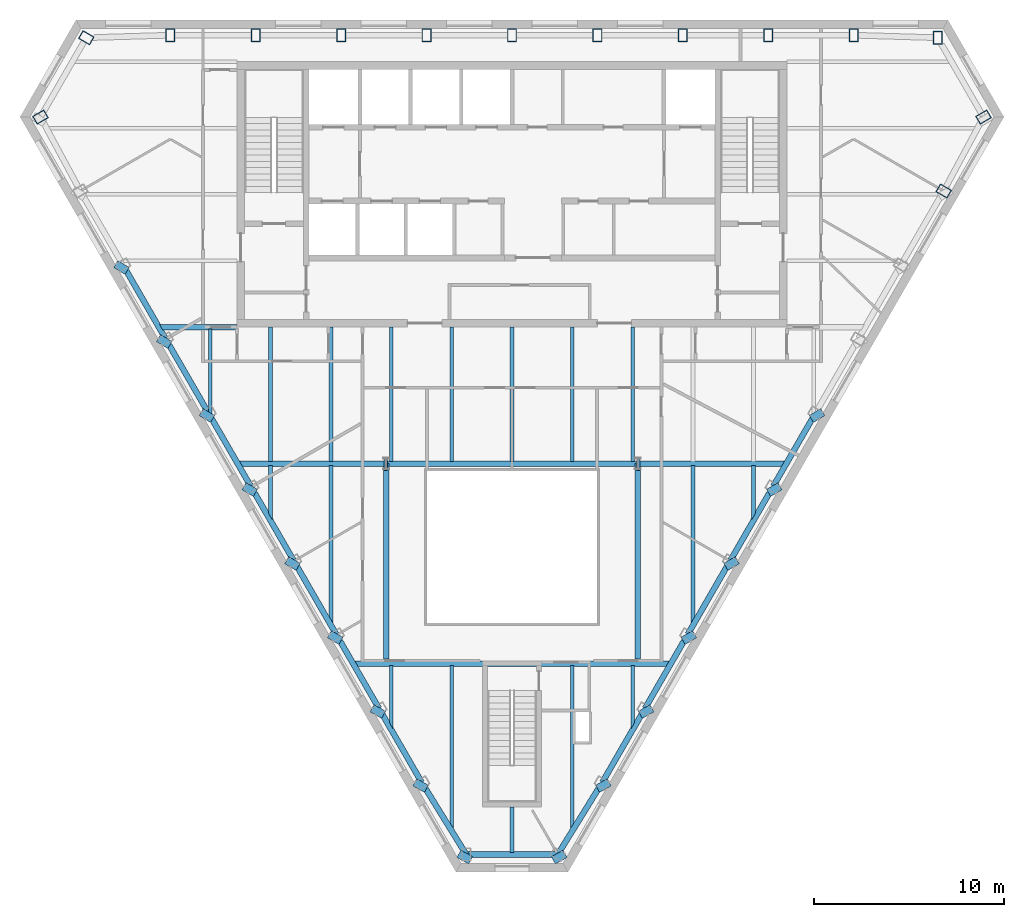
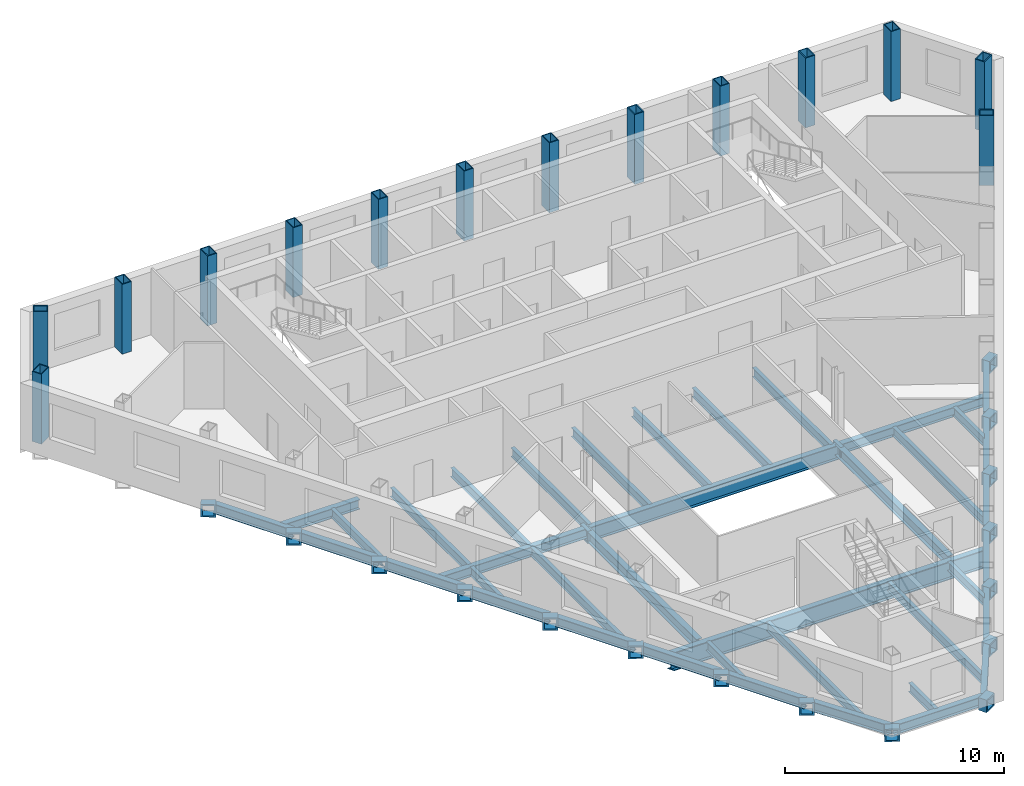
# One storey, part 2 of 10: 57 beams, 14 columns.
"""IFC4 building model written with IfcOpenShell, lengths in metres."""

from ifc_helpers import new_model, si_unit, direction, frame, origin, origin_2d, place, context, subcontext, project, spatial, hollow_rectangle, i_section, extrude, clip, halfspace, material, material_profile, profile_set, type_object, element, save


model = new_model("IFC4")

# Units and contexts
model_context = context("Model", 3, precision=1e-05, world=origin(), true_north=direction((0.0, 1.0)))
body_context = subcontext(model_context, "Body", "Model", "MODEL_VIEW")
ifc_project = project(units=[si_unit("LENGTHUNIT", "METRE"), si_unit("AREAUNIT", "SQUARE_METRE"), si_unit("VOLUMEUNIT", "CUBIC_METRE"), si_unit("PLANEANGLEUNIT", "RADIAN"), si_unit("MASSUNIT", "GRAM", prefix="KILO")], contexts=[model_context])

# Site, building, storey
site_placement = place(None, origin())
site = spatial("IfcSite", under=ifc_project, at=site_placement, CompositionType="ELEMENT")
building_placement = place(site_placement, origin())
building = spatial("IfcBuilding", under=site, at=building_placement, Name="Njiva Tower", CompositionType="ELEMENT")
storey_placement = place(building_placement, frame((0.0, 0.0, 257.1)))
storey = spatial("IfcBuildingStorey", under=building, at=storey_placement, Name="L58", CompositionType="ELEMENT", Elevation=257.1)

# Columns
ifc_material = material(Name="Steel S355 J2", Category="steel")
ifc_material_profile_1 = material_profile(ifc_material, hollow_rectangle(XDim=0.5, YDim=0.7, WallThickness=0.045, at=origin_2d()), Name="BOX 700x500x45")
ifc_profile_set_1 = profile_set([ifc_material_profile_1], Name="Steel S355 J2")
column_type = type_object("IfcColumnType", Name="C13 Perimeter tube column BOX 700x500x45", PredefinedType="COLUMN", material=ifc_profile_set_1)
for number, where, z_axis, x_axis, name in (
    (1, (22.456, 19.267, 0.0), (0.0, 0.0, 1.0), (-1.0, 0.0, 0.0), "Perimeter tube column S19-C01"),
    (2, (18.026, 19.4, 0.0), (0.0, 0.0, 1.0), (-1.0, 0.0, 0.0), "Perimeter tube column S19-C02"),
    (3, (13.52, 19.4, 0.0), (0.0, 0.0, 1.0), (-1.0, 0.0, 0.0), "Perimeter tube column S19-C03"),
    (4, (9.013, 19.4, 0.0), (0.0, 0.0, 1.0), (-1.0, 0.0, 0.0), "Perimeter tube column S19-C04"),
    (5, (4.507, 19.4, 0.0), (0.0, 0.0, 1.0), (-1.0, 0.0, 0.0), "Perimeter tube column S19-C05"),
    (6, (0.0, 19.4, 0.0), (0.0, 0.0, 1.0), (-1.0, 0.0, 0.0), "Perimeter tube column S19-C06"),
    (7, (-4.507, 19.4, 0.0), (0.0, 0.0, 1.0), (-1.0, 0.0, 0.0), "Perimeter tube column S19-C07"),
    (8, (-9.013, 19.4, 0.0), (0.0, 0.0, 1.0), (-1.0, 0.0, 0.0), "Perimeter tube column S19-C08"),
    (9, (-13.52, 19.4, 0.0), (0.0, 0.0, 1.0), (-1.0, 0.0, 0.0), "Perimeter tube column S19-C09"),
    (10, (-18.026, 19.4, 0.0), (0.0, 0.0, 1.0), (-1.0, 0.0, 0.0), "Perimeter tube column S19-C10"),
    (11, (-22.456, 19.267, 0.0), (0.0, 0.0, 1.0), (-0.5, -0.866025403784, 0.0), "Perimeter tube column S19-C11"),
    (12, (-24.873, 15.082, 0.0), (0.0, 0.0, 1.0), (0.5, -0.866025403784, 0.0), "Perimeter tube column S19-C12"),
    (13, (22.773, 11.179, 0.0), (0.0, 0.0, 1.0), (0.5, 0.866025403784, 0.0), "Perimeter tube column S19-C32"),
    (14, (24.873, 15.082, 0.0), (0.0, 0.0, 1.0), (-0.5, 0.866025403784, 0.0), "Perimeter tube column S19-C33"),
):
    element("IfcColumn", number, at=place(storey_placement, frame(where, z_axis=z_axis, x_axis=x_axis)), inside=storey, type_object=column_type, Name=name, PredefinedType="COLUMN", context=body_context, shape_type="SweptSolid", body=[
        extrude(hollow_rectangle(XDim=0.5, YDim=0.7, WallThickness=0.045, at=origin_2d()), origin(), (0.0, 0.0, 1.0), 3.9),
    ])

# Beams
ifc_material_profile_2 = material_profile(ifc_material, hollow_rectangle(XDim=0.7, YDim=0.7, WallThickness=0.08, at=origin_2d()), Name="BOX 700x700x80")
ifc_profile_set_2 = profile_set([ifc_material_profile_2], Name="Steel S355 J2")
beam_type_1 = type_object("IfcBeamType", Name="B19 Column jog beam BOX 700x700x80", PredefinedType="BEAM", material=ifc_profile_set_2)
beam_1_placement = place(storey_placement, frame((-20.709, 6.962, -0.55), z_axis=(0.516220048365, 0.856455989334, 0.0), x_axis=(-0.856455989334, 0.516220048365, 0.0)))
element("IfcBeam", 15, at=beam_1_placement, inside=storey, type_object=beam_type_1, Name="Column jog beam S19-B017", PredefinedType="BEAM", context=body_context, shape_type="SweptSolid", body=[
    extrude(hollow_rectangle(XDim=0.7, YDim=0.7, WallThickness=0.08, at=origin_2d()), origin(), (0.0, 0.0, 1.0), 0.4262),
])
beam_2_placement = place(storey_placement, frame((-18.454, 3.056, -0.55), z_axis=(0.510377209409, 0.859950640511, 0.0), x_axis=(-0.859950640511, 0.510377209409, 0.0)))
element("IfcBeam", 16, at=beam_2_placement, inside=storey, type_object=beam_type_1, Name="Column jog beam S19-B018", PredefinedType="BEAM", context=body_context, shape_type="SweptSolid", body=[
    extrude(hollow_rectangle(XDim=0.7, YDim=0.7, WallThickness=0.08, at=origin_2d()), origin(), (0.0, 0.0, 1.0), 0.4291),
])
beam_3_placement = place(storey_placement, frame((-16.199, -0.848, -0.55), z_axis=(0.504161245348, 0.863609540643, 0.0), x_axis=(-0.863609540643, 0.504161245348, 0.0)))
element("IfcBeam", 17, at=beam_3_placement, inside=storey, type_object=beam_type_1, Name="Column jog beam S19-B019", PredefinedType="BEAM", context=body_context, shape_type="SweptSolid", body=[
    extrude(hollow_rectangle(XDim=0.7, YDim=0.7, WallThickness=0.08, at=origin_2d()), origin(), (0.0, 0.0, 1.0), 0.4284),
])
beam_4_placement = place(storey_placement, frame((-13.945, -4.753, -0.55), z_axis=(0.499387282788, 0.866378867349, 0.0), x_axis=(-0.866378867349, 0.499387282788, 0.0)))
element("IfcBeam", 18, at=beam_4_placement, inside=storey, type_object=beam_type_1, Name="Column jog beam S19-B020", PredefinedType="BEAM", context=body_context, shape_type="SweptSolid", body=[
    extrude(hollow_rectangle(XDim=0.7, YDim=0.7, WallThickness=0.08, at=origin_2d()), origin(), (0.0, 0.0, 1.0), 0.4305),
])
beam_5_placement = place(storey_placement, frame((-11.69, -8.658, -0.55), z_axis=(0.495640009586, 0.86852805418, 0.0), x_axis=(-0.86852805418, 0.495640009586, 0.0)))
element("IfcBeam", 19, at=beam_5_placement, inside=storey, type_object=beam_type_1, Name="Column jog beam S19-B021", PredefinedType="BEAM", context=body_context, shape_type="SweptSolid", body=[
    extrude(hollow_rectangle(XDim=0.7, YDim=0.7, WallThickness=0.08, at=origin_2d()), origin(), (0.0, 0.0, 1.0), 0.4318),
])
beam_6_placement = place(storey_placement, frame((-9.435, -12.562, -0.55), z_axis=(0.489380054182, 0.872070617879, 0.0), x_axis=(-0.872070617879, 0.489380054182, 0.0)))
element("IfcBeam", 20, at=beam_6_placement, inside=storey, type_object=beam_type_1, Name="Column jog beam S19-B022", PredefinedType="BEAM", context=body_context, shape_type="SweptSolid", body=[
    extrude(hollow_rectangle(XDim=0.7, YDim=0.7, WallThickness=0.08, at=origin_2d()), origin(), (0.0, 0.0, 1.0), 0.4312),
])
beam_7_placement = place(storey_placement, frame((-7.181, -16.467, -0.55), z_axis=(0.485642931179, 0.874157276122, 0.0), x_axis=(-0.874157276122, 0.485642931179, 0.0)))
element("IfcBeam", 21, at=beam_7_placement, inside=storey, type_object=beam_type_1, Name="Column jog beam S19-B023", PredefinedType="BEAM", context=body_context, shape_type="SweptSolid", body=[
    extrude(hollow_rectangle(XDim=0.7, YDim=0.7, WallThickness=0.08, at=origin_2d()), origin(), (0.0, 0.0, 1.0), 0.4324),
])
beam_8_placement = place(storey_placement, frame((-4.926, -20.372, -0.55), z_axis=(0.480946745691, 0.87674980913, 0.0), x_axis=(-0.87674980913, 0.480946745691, 0.0)))
element("IfcBeam", 22, at=beam_8_placement, inside=storey, type_object=beam_type_1, Name="Column jog beam S19-B025", PredefinedType="BEAM", context=body_context, shape_type="SweptSolid", body=[
    extrude(hollow_rectangle(XDim=0.7, YDim=0.7, WallThickness=0.08, at=origin_2d()), origin(), (0.0, 0.0, 1.0), 0.4346),
])
for number, where, z_axis, x_axis, name in (
    (23, (-2.595, -24.144, -0.55), (0.477243757619, 0.878770957539, 0.0), (-0.878770957539, 0.477243757619, 0.0), "Column jog beam S19-B026"),
    (24, (2.595, -24.144, -0.55), (-0.477243757619, 0.878770957539, 0.0), (-0.878770957539, -0.477243757619, 0.0), "Column jog beam S19-B027"),
):
    element("IfcBeam", number, at=place(storey_placement, frame(where, z_axis=z_axis, x_axis=x_axis)), inside=storey, type_object=beam_type_1, Name=name, PredefinedType="BEAM", context=body_context, shape_type="SweptSolid", body=[
        extrude(hollow_rectangle(XDim=0.7, YDim=0.7, WallThickness=0.08, at=origin_2d()), origin(), (0.0, 0.0, 1.0), 0.4358),
    ])
beam_9_placement = place(storey_placement, frame((4.926, -20.372, -0.55), z_axis=(-0.480946745691, 0.87674980913, 0.0), x_axis=(-0.87674980913, -0.480946745691, 0.0)))
element("IfcBeam", 25, at=beam_9_placement, inside=storey, type_object=beam_type_1, Name="Column jog beam S19-B028", PredefinedType="BEAM", context=body_context, shape_type="SweptSolid", body=[
    extrude(hollow_rectangle(XDim=0.7, YDim=0.7, WallThickness=0.08, at=origin_2d()), origin(), (0.0, 0.0, 1.0), 0.4346),
])
beam_10_placement = place(storey_placement, frame((7.181, -16.467, -0.55), z_axis=(-0.485642931179, 0.874157276122, 0.0), x_axis=(-0.874157276122, -0.485642931179, 0.0)))
element("IfcBeam", 26, at=beam_10_placement, inside=storey, type_object=beam_type_1, Name="Column jog beam S19-B030", PredefinedType="BEAM", context=body_context, shape_type="SweptSolid", body=[
    extrude(hollow_rectangle(XDim=0.7, YDim=0.7, WallThickness=0.08, at=origin_2d()), origin(), (0.0, 0.0, 1.0), 0.4324),
])
beam_11_placement = place(storey_placement, frame((9.435, -12.562, -0.55), z_axis=(-0.489380054182, 0.872070617879, 0.0), x_axis=(-0.872070617879, -0.489380054182, 0.0)))
element("IfcBeam", 27, at=beam_11_placement, inside=storey, type_object=beam_type_1, Name="Column jog beam S19-B031", PredefinedType="BEAM", context=body_context, shape_type="SweptSolid", body=[
    extrude(hollow_rectangle(XDim=0.7, YDim=0.7, WallThickness=0.08, at=origin_2d()), origin(), (0.0, 0.0, 1.0), 0.4312),
])
beam_12_placement = place(storey_placement, frame((11.69, -8.658, -0.55), z_axis=(-0.495640009586, 0.86852805418, 0.0), x_axis=(-0.86852805418, -0.495640009586, 0.0)))
element("IfcBeam", 28, at=beam_12_placement, inside=storey, type_object=beam_type_1, Name="Column jog beam S19-B032", PredefinedType="BEAM", context=body_context, shape_type="SweptSolid", body=[
    extrude(hollow_rectangle(XDim=0.7, YDim=0.7, WallThickness=0.08, at=origin_2d()), origin(), (0.0, 0.0, 1.0), 0.4318),
])
beam_13_placement = place(storey_placement, frame((13.945, -4.753, -0.55), z_axis=(-0.499387282788, 0.866378867349, 0.0), x_axis=(-0.866378867349, -0.499387282788, 0.0)))
element("IfcBeam", 29, at=beam_13_placement, inside=storey, type_object=beam_type_1, Name="Column jog beam S19-B033", PredefinedType="BEAM", context=body_context, shape_type="SweptSolid", body=[
    extrude(hollow_rectangle(XDim=0.7, YDim=0.7, WallThickness=0.08, at=origin_2d()), origin(), (0.0, 0.0, 1.0), 0.4305),
])
beam_14_placement = place(storey_placement, frame((16.199, -0.848, -0.55), z_axis=(-0.504161245348, 0.863609540643, 0.0), x_axis=(-0.863609540643, -0.504161245348, 0.0)))
element("IfcBeam", 30, at=beam_14_placement, inside=storey, type_object=beam_type_1, Name="Column jog beam S19-B034", PredefinedType="BEAM", context=body_context, shape_type="SweptSolid", body=[
    extrude(hollow_rectangle(XDim=0.7, YDim=0.7, WallThickness=0.08, at=origin_2d()), origin(), (0.0, 0.0, 1.0), 0.4284),
])
for number, where, z_axis, x_axis, name in (
    (31, (6.76, -3.2, -0.55), (-1.0, 0.0, 0.0), (0.0, -1.0, 0.0), "Column jog beam S19-B029"),
    (32, (-6.76, -3.2, -0.55), (1.0, 0.0, 0.0), (0.0, 1.0, 0.0), "Column jog beam S19-B024"),
):
    element("IfcBeam", number, at=place(storey_placement, frame(where, z_axis=z_axis, x_axis=x_axis)), inside=storey, type_object=beam_type_1, Name=name, PredefinedType="BEAM", context=body_context, shape_type="SweptSolid", body=[
        extrude(hollow_rectangle(XDim=0.7, YDim=0.7, WallThickness=0.08, at=origin_2d()), origin(), (0.0, 0.0, 1.0), 0.19),
    ])
ifc_material_profile_3 = material_profile(ifc_material, i_section(OverallWidth=0.3, OverallDepth=0.59, WebThickness=0.013, FlangeThickness=0.025, at=origin_2d()), Name="HEA 600")
ifc_profile_set_3 = profile_set([ifc_material_profile_3], Name="Steel S355 J2")
beam_type_2 = type_object("IfcBeamType", Name="B30 Long-span atrium trimmer beam HEA 600", PredefinedType="BEAM", material=ifc_profile_set_3)
for number, where, z_axis, x_axis, name in (
    (33, (6.63, -13.5, -0.495), (0.0, 1.0, 0.0), (-1.0, 0.0, 0.0), "Long-span atrium trimmer beam S19-B066"),
    (34, (-6.63, -3.2, -0.495), (0.0, -1.0, 0.0), (1.0, 0.0, 0.0), "Long-span atrium trimmer beam S19-B063"),
):
    element("IfcBeam", number, at=place(storey_placement, frame(where, z_axis=z_axis, x_axis=x_axis)), inside=storey, type_object=beam_type_2, Name=name, PredefinedType="BEAM", context=body_context, shape_type="SweptSolid", body=[
        extrude(i_section(OverallWidth=0.3, OverallDepth=0.59, WebThickness=0.013, FlangeThickness=0.025, at=origin_2d()), origin(), (0.0, 0.0, 1.0), 10.3),
    ])
ifc_material_profile_4 = material_profile(ifc_material, i_section(OverallWidth=0.3, OverallDepth=0.54, WebThickness=0.0125, FlangeThickness=0.024, at=origin_2d()), Name="HEA 550")
ifc_profile_set_4 = profile_set([ifc_material_profile_4], Name="Steel S355 J2")
beam_type_3 = type_object("IfcBeamType", Name="B39 Short-span spandrel beam HEA 550", PredefinedType="SPANDREL", material=ifc_profile_set_4)
beam_15_placement = place(storey_placement, frame((-20.345, 6.974, -0.47), z_axis=(0.499855875421, -0.866108598161, 0.0), x_axis=(0.866108598161, 0.499855875421, 0.0)))
element("IfcBeam", 35, at=beam_15_placement, inside=storey, type_object=beam_type_3, Name="Short-span spandrel beam S19-B076", PredefinedType="SPANDREL", context=body_context, shape_type="SweptSolid", body=[
    extrude(i_section(OverallWidth=0.3, OverallDepth=0.54, WebThickness=0.0125, FlangeThickness=0.024, at=origin_2d()), origin(), (0.0, 0.0, 1.0), 4.1092),
])
beam_16_placement = place(storey_placement, frame((-18.091, 3.069, -0.47), z_axis=(0.499961250474, -0.866047774678, 0.0), x_axis=(0.866047774678, 0.499961250474, 0.0)))
element("IfcBeam", 36, at=beam_16_placement, inside=storey, type_object=beam_type_3, Name="Short-span spandrel beam S19-B078", PredefinedType="SPANDREL", context=body_context, shape_type="SweptSolid", body=[
    extrude(i_section(OverallWidth=0.3, OverallDepth=0.54, WebThickness=0.0125, FlangeThickness=0.024, at=origin_2d()), origin(), (0.0, 0.0, 1.0), 4.1083),
])
beam_17_placement = place(storey_placement, frame((-15.837, -0.835, -0.47), z_axis=(0.500143783026, -0.865942374699, 0.0), x_axis=(0.865942374699, 0.500143783026, 0.0)))
element("IfcBeam", 37, at=beam_17_placement, inside=storey, type_object=beam_type_3, Name="Short-span spandrel beam S19-B082", PredefinedType="SPANDREL", context=body_context, shape_type="SweptSolid", body=[
    extrude(i_section(OverallWidth=0.3, OverallDepth=0.54, WebThickness=0.0125, FlangeThickness=0.024, at=origin_2d()), origin(), (0.0, 0.0, 1.0), 4.1088),
])
beam_18_placement = place(storey_placement, frame((-13.582, -4.74, -0.47), z_axis=(0.499855875421, -0.866108598161, 0.0), x_axis=(0.866108598161, 0.499855875421, 0.0)))
element("IfcBeam", 38, at=beam_18_placement, inside=storey, type_object=beam_type_3, Name="Short-span spandrel beam S19-B084", PredefinedType="SPANDREL", context=body_context, shape_type="SweptSolid", body=[
    extrude(i_section(OverallWidth=0.3, OverallDepth=0.54, WebThickness=0.0125, FlangeThickness=0.024, at=origin_2d()), origin(), (0.0, 0.0, 1.0), 4.1092),
])
beam_19_placement = place(storey_placement, frame((-11.328, -8.645, -0.47), z_axis=(0.499961250474, -0.866047774678, 0.0), x_axis=(0.866047774678, 0.499961250474, 0.0)))
element("IfcBeam", 39, at=beam_19_placement, inside=storey, type_object=beam_type_3, Name="Short-span spandrel beam S19-B088", PredefinedType="SPANDREL", context=body_context, shape_type="SweptSolid", body=[
    extrude(i_section(OverallWidth=0.3, OverallDepth=0.54, WebThickness=0.0125, FlangeThickness=0.024, at=origin_2d()), origin(), (0.0, 0.0, 1.0), 4.1083),
])
beam_20_placement = place(storey_placement, frame((-9.074, -12.549, -0.47), z_axis=(0.500143783026, -0.865942374699, 0.0), x_axis=(0.865942374699, 0.500143783026, 0.0)))
element("IfcBeam", 40, at=beam_20_placement, inside=storey, type_object=beam_type_3, Name="Short-span spandrel beam S19-B090", PredefinedType="SPANDREL", context=body_context, shape_type="SweptSolid", body=[
    extrude(i_section(OverallWidth=0.3, OverallDepth=0.54, WebThickness=0.0125, FlangeThickness=0.024, at=origin_2d()), origin(), (0.0, 0.0, 1.0), 4.1088),
])
beam_21_placement = place(storey_placement, frame((-6.819, -16.454, -0.47), z_axis=(0.499961250474, -0.866047774678, 0.0), x_axis=(0.866047774678, 0.499961250474, 0.0)))
element("IfcBeam", 41, at=beam_21_placement, inside=storey, type_object=beam_type_3, Name="Short-span spandrel beam S19-B094", PredefinedType="SPANDREL", context=body_context, shape_type="SweptSolid", body=[
    extrude(i_section(OverallWidth=0.3, OverallDepth=0.54, WebThickness=0.0125, FlangeThickness=0.024, at=origin_2d()), origin(), (0.0, 0.0, 1.0), 4.1083),
])
beam_22_placement = place(storey_placement, frame((-4.555, -20.354, -0.47), z_axis=(0.525877438705, -0.850560356154, 0.0), x_axis=(0.850560356154, 0.525877438705, 0.0)))
element("IfcBeam", 42, at=beam_22_placement, inside=storey, type_object=beam_type_3, Name="Short-span spandrel beam S19-B096", PredefinedType="SPANDREL", context=body_context, shape_type="Clipping", body=[
    clip(extrude(i_section(OverallWidth=0.3, OverallDepth=0.54, WebThickness=0.0125, FlangeThickness=0.024, at=origin_2d()), origin(), (0.0, 0.0, 1.0), 4.1539), halfspace(frame((-0.0265, 0.0, 4.0245), z_axis=(-0.525877438705, 0.0, 0.850560356154), x_axis=(0.0, 1.0, 0.0)), False)),
])
beam_23_placement = place(storey_placement, frame((2.436, -23.781, -0.47), z_axis=(0.525910245657, 0.850540071668, 0.0), x_axis=(-0.850540071668, 0.525910245657, 0.0)))
element("IfcBeam", 43, at=beam_23_placement, inside=storey, type_object=beam_type_3, Name="Short-span spandrel beam S19-B101", PredefinedType="SPANDREL", context=body_context, shape_type="SweptSolid", body=[
    extrude(i_section(OverallWidth=0.3, OverallDepth=0.54, WebThickness=0.0125, FlangeThickness=0.024, at=origin_2d()), origin(), (0.0, 0.0, 1.0), 4.0292),
])
beam_24_placement = place(storey_placement, frame((4.765, -20.012, -0.47), z_axis=(0.499961250474, 0.866047774678, 0.0), x_axis=(-0.866047774678, 0.499961250474, 0.0)))
element("IfcBeam", 44, at=beam_24_placement, inside=storey, type_object=beam_type_3, Name="Short-span spandrel beam S19-B105", PredefinedType="SPANDREL", context=body_context, shape_type="SweptSolid", body=[
    extrude(i_section(OverallWidth=0.3, OverallDepth=0.54, WebThickness=0.0125, FlangeThickness=0.024, at=origin_2d()), origin(), (0.0, 0.0, 1.0), 4.1083),
])
beam_25_placement = place(storey_placement, frame((7.019, -16.107, -0.47), z_axis=(0.500143783026, 0.865942374699, 0.0), x_axis=(-0.865942374699, 0.500143783026, 0.0)))
element("IfcBeam", 45, at=beam_25_placement, inside=storey, type_object=beam_type_3, Name="Short-span spandrel beam S19-B107", PredefinedType="SPANDREL", context=body_context, shape_type="SweptSolid", body=[
    extrude(i_section(OverallWidth=0.3, OverallDepth=0.54, WebThickness=0.0125, FlangeThickness=0.024, at=origin_2d()), origin(), (0.0, 0.0, 1.0), 4.1088),
])
beam_26_placement = place(storey_placement, frame((9.274, -12.203, -0.47), z_axis=(0.499961250474, 0.866047774678, 0.0), x_axis=(-0.866047774678, 0.499961250474, 0.0)))
element("IfcBeam", 46, at=beam_26_placement, inside=storey, type_object=beam_type_3, Name="Short-span spandrel beam S19-B111", PredefinedType="SPANDREL", context=body_context, shape_type="SweptSolid", body=[
    extrude(i_section(OverallWidth=0.3, OverallDepth=0.54, WebThickness=0.0125, FlangeThickness=0.024, at=origin_2d()), origin(), (0.0, 0.0, 1.0), 4.1083),
])
beam_27_placement = place(storey_placement, frame((11.528, -8.299, -0.47), z_axis=(0.499855875421, 0.866108598161, 0.0), x_axis=(-0.866108598161, 0.499855875421, 0.0)))
element("IfcBeam", 47, at=beam_27_placement, inside=storey, type_object=beam_type_3, Name="Short-span spandrel beam S19-B113", PredefinedType="SPANDREL", context=body_context, shape_type="SweptSolid", body=[
    extrude(i_section(OverallWidth=0.3, OverallDepth=0.54, WebThickness=0.0125, FlangeThickness=0.024, at=origin_2d()), origin(), (0.0, 0.0, 1.0), 4.1092),
])
beam_28_placement = place(storey_placement, frame((13.782, -4.393, -0.47), z_axis=(0.500143783026, 0.865942374699, 0.0), x_axis=(-0.865942374699, 0.500143783026, 0.0)))
element("IfcBeam", 48, at=beam_28_placement, inside=storey, type_object=beam_type_3, Name="Short-span spandrel beam S19-B117", PredefinedType="SPANDREL", context=body_context, shape_type="SweptSolid", body=[
    extrude(i_section(OverallWidth=0.3, OverallDepth=0.54, WebThickness=0.0125, FlangeThickness=0.024, at=origin_2d()), origin(), (0.0, 0.0, 1.0), 4.1088),
])
ifc_material_profile_5 = material_profile(ifc_material, i_section(OverallWidth=0.3, OverallDepth=0.54, WebThickness=0.0125, FlangeThickness=0.024, at=origin_2d()), Name="HEA 550")
ifc_profile_set_5 = profile_set([ifc_material_profile_5], Name="Steel S355 J2")
beam_type_4 = type_object("IfcBeamType", Name="B40 Floor girder HEA 550", PredefinedType="BEAM", material=ifc_profile_set_5)
beam_29_placement = place(storey_placement, frame((-14.463, -3.2, -0.47), z_axis=(1.0, 0.0, 0.0), x_axis=(0.0, 1.0, 0.0)))
element("IfcBeam", 49, at=beam_29_placement, inside=storey, type_object=beam_type_4, Name="Floor girder S19-B012", PredefinedType="BEAM", context=body_context, shape_type="Clipping", body=[
    clip(extrude(i_section(OverallWidth=0.3, OverallDepth=0.54, WebThickness=0.0125, FlangeThickness=0.024, at=origin_2d()), origin(), (0.0, 0.0, 1.0), 7.833), halfspace(frame((-0.025, 0.0, 0.1217), z_axis=(-0.499998009787, 0.0, -0.866026552831), x_axis=(0.0, -1.0, 0.0)), False)),
])
beam_30_placement = place(storey_placement, frame((6.63, -3.2, -0.47), z_axis=(1.0, 0.0, 0.0), x_axis=(0.0, 1.0, 0.0)))
element("IfcBeam", 50, at=beam_30_placement, inside=storey, type_object=beam_type_4, Name="Floor girder S19-B013", PredefinedType="BEAM", context=body_context, shape_type="Clipping", body=[
    clip(extrude(i_section(OverallWidth=0.3, OverallDepth=0.54, WebThickness=0.0125, FlangeThickness=0.024, at=origin_2d()), origin(), (0.0, 0.0, 1.0), 7.833), halfspace(frame((-0.025, 0.0, 7.7113), z_axis=(-0.499998009787, 0.0, 0.866026552831), x_axis=(0.0, 1.0, 0.0)), False)),
])
ifc_material_profile_6 = material_profile(ifc_material, i_section(OverallWidth=0.3, OverallDepth=0.54, WebThickness=0.0125, FlangeThickness=0.024, at=origin_2d()), Name="HEA 550")
ifc_profile_set_6 = profile_set([ifc_material_profile_6], Name="Steel S355 J2")
beam_type_5 = type_object("IfcBeamType", Name="B41 Short-span floor girder HEA 550", PredefinedType="BEAM", material=ifc_profile_set_6)
beam_31_placement = place(storey_placement, frame((-18.62, 4.0, -0.47), z_axis=(1.0, 0.0, 0.0), x_axis=(0.0, 1.0, 0.0)))
element("IfcBeam", 51, at=beam_31_placement, inside=storey, type_object=beam_type_5, Name="Short-span floor girder S19-B011", PredefinedType="BEAM", context=body_context, shape_type="Clipping", body=[
    clip(extrude(i_section(OverallWidth=0.3, OverallDepth=0.54, WebThickness=0.0125, FlangeThickness=0.024, at=origin_2d()), origin(), (0.0, 0.0, 1.0), 4.12), halfspace(frame((-0.025, 0.0, 0.1217), z_axis=(-0.499998009787, 0.0, -0.866026552831), x_axis=(0.0, -1.0, 0.0)), False)),
])
ifc_material_profile_7 = material_profile(ifc_material, i_section(OverallWidth=0.2, OverallDepth=0.5, WebThickness=0.0102, FlangeThickness=0.016, at=origin_2d()), Name="IPE 500")
ifc_profile_set_7 = profile_set([ifc_material_profile_7], Name="Steel S355 J2")
beam_type_6 = type_object("IfcBeamType", Name="B42 Short-span floor joist IPE 500", PredefinedType="JOIST", material=ifc_profile_set_7)
beam_32_placement = place(storey_placement, frame((-12.733, -3.3, -0.45), z_axis=(0.0, -1.0, 0.0), x_axis=(1.0, 0.0, 0.0)))
element("IfcBeam", 52, at=beam_32_placement, inside=storey, type_object=beam_type_6, Name="Short-span floor joist S19-B041", PredefinedType="JOIST", context=body_context, shape_type="Clipping", body=[
    clip(extrude(i_section(OverallWidth=0.2, OverallDepth=0.5, WebThickness=0.0102, FlangeThickness=0.016, at=origin_2d()), origin(), (0.0, 0.0, 1.0), 2.903), halfspace(frame((-0.0436, 0.0, 2.6351), z_axis=(-0.866026552831, 0.0, 0.499998009787), x_axis=(0.0, 1.0, 0.0)), False)),
])
beam_33_placement = place(storey_placement, frame((-6.367, -13.851, -0.45), z_axis=(0.0, -1.0, 0.0), x_axis=(1.0, 0.0, 0.0)))
element("IfcBeam", 53, at=beam_33_placement, inside=storey, type_object=beam_type_6, Name="Short-span floor joist S19-B045", PredefinedType="JOIST", context=body_context, shape_type="Clipping", body=[
    clip(extrude(i_section(OverallWidth=0.2, OverallDepth=0.5, WebThickness=0.0102, FlangeThickness=0.016, at=origin_2d()), origin(), (0.0, 0.0, 1.0), 3.38), halfspace(frame((-0.043, 0.0, 3.1115), z_axis=(-0.866026552831, 0.0, 0.499998009787), x_axis=(0.0, 1.0, 0.0)), False)),
])
beam_34_placement = place(storey_placement, frame((0.0, -21.3, -0.45), z_axis=(0.0, -1.0, 0.0), x_axis=(1.0, 0.0, 0.0)))
element("IfcBeam", 54, at=beam_34_placement, inside=storey, type_object=beam_type_6, Name="Short-span floor joist S19-B049", PredefinedType="JOIST", context=body_context, shape_type="SweptSolid", body=[
    extrude(i_section(OverallWidth=0.2, OverallDepth=0.5, WebThickness=0.0102, FlangeThickness=0.016, at=origin_2d()), origin(), (0.0, 0.0, 1.0), 2.414),
])
beam_35_placement = place(storey_placement, frame((6.367, -13.851, -0.45), z_axis=(0.0, -1.0, 0.0), x_axis=(1.0, 0.0, 0.0)))
element("IfcBeam", 55, at=beam_35_placement, inside=storey, type_object=beam_type_6, Name="Short-span floor joist S19-B053", PredefinedType="JOIST", context=body_context, shape_type="Clipping", body=[
    clip(extrude(i_section(OverallWidth=0.2, OverallDepth=0.5, WebThickness=0.0102, FlangeThickness=0.016, at=origin_2d()), origin(), (0.0, 0.0, 1.0), 3.38), halfspace(frame((0.043, 0.0, 3.1115), z_axis=(0.866026552831, 0.0, 0.499998009787), x_axis=(0.0, 1.0, 0.0)), False)),
])
beam_36_placement = place(storey_placement, frame((12.733, -3.3, -0.45), z_axis=(0.0, -1.0, 0.0), x_axis=(1.0, 0.0, 0.0)))
element("IfcBeam", 56, at=beam_36_placement, inside=storey, type_object=beam_type_6, Name="Short-span floor joist S19-B057", PredefinedType="JOIST", context=body_context, shape_type="Clipping", body=[
    clip(extrude(i_section(OverallWidth=0.2, OverallDepth=0.5, WebThickness=0.0102, FlangeThickness=0.016, at=origin_2d()), origin(), (0.0, 0.0, 1.0), 2.903), halfspace(frame((0.0436, 0.0, 2.6351), z_axis=(0.866026552831, 0.0, 0.499998009787), x_axis=(0.0, 1.0, 0.0)), False)),
])
ifc_material_profile_8 = material_profile(ifc_material, i_section(OverallWidth=0.2, OverallDepth=0.5, WebThickness=0.0102, FlangeThickness=0.016, at=origin_2d()), Name="IPE 500")
ifc_profile_set_8 = profile_set([ifc_material_profile_8], Name="Steel S355 J2")
beam_type_7 = type_object("IfcBeamType", Name="B43 Floor joist IPE 500", PredefinedType="JOIST", material=ifc_profile_set_8)
beam_37_placement = place(storey_placement, frame((-15.917, 3.9, -0.45), z_axis=(0.0, -1.0, 0.0), x_axis=(1.0, 0.0, 0.0)))
element("IfcBeam", 57, at=beam_37_placement, inside=storey, type_object=beam_type_7, Name="Floor joist S19-B039", PredefinedType="JOIST", context=body_context, shape_type="Clipping", body=[
    clip(extrude(i_section(OverallWidth=0.2, OverallDepth=0.5, WebThickness=0.0102, FlangeThickness=0.016, at=origin_2d()), origin(), (0.0, 0.0, 1.0), 4.726), halfspace(frame((-0.043, 0.0, 4.4581), z_axis=(-0.866026552831, 0.0, 0.499998009787), x_axis=(0.0, 1.0, 0.0)), False)),
])
for number, where, z_axis, x_axis, name in (
    (58, (-12.733, 3.995, -0.45), (0.0, -1.0, 0.0), (1.0, 0.0, 0.0), "Floor joist S19-B042"),
    (59, (-9.55, 3.995, -0.45), (0.0, -1.0, 0.0), (1.0, 0.0, 0.0), "Floor joist S19-B044"),
):
    element("IfcBeam", number, at=place(storey_placement, frame(where, z_axis=z_axis, x_axis=x_axis)), inside=storey, type_object=beam_type_7, Name=name, PredefinedType="JOIST", context=body_context, shape_type="SweptSolid", body=[
        extrude(i_section(OverallWidth=0.2, OverallDepth=0.5, WebThickness=0.0102, FlangeThickness=0.016, at=origin_2d()), origin(), (0.0, 0.0, 1.0), 7.095),
    ])
beam_38_placement = place(storey_placement, frame((-9.55, -3.3, -0.45), z_axis=(0.0, -1.0, 0.0), x_axis=(1.0, 0.0, 0.0)))
element("IfcBeam", 60, at=beam_38_placement, inside=storey, type_object=beam_type_7, Name="Floor joist S19-B043", PredefinedType="JOIST", context=body_context, shape_type="Clipping", body=[
    clip(extrude(i_section(OverallWidth=0.2, OverallDepth=0.5, WebThickness=0.0102, FlangeThickness=0.016, at=origin_2d()), origin(), (0.0, 0.0, 1.0), 8.417), halfspace(frame((-0.0433, 0.0, 8.1488), z_axis=(-0.866026552831, 0.0, 0.499998009787), x_axis=(0.0, 1.0, 0.0)), False)),
])
for number, where, z_axis, x_axis, name in (
    (61, (-6.367, 3.995, -0.45), (0.0, -1.0, 0.0), (1.0, 0.0, 0.0), "Floor joist S19-B046"),
    (62, (-3.183, 3.995, -0.45), (0.0, -1.0, 0.0), (1.0, 0.0, 0.0), "Floor joist S19-B048"),
):
    element("IfcBeam", number, at=place(storey_placement, frame(where, z_axis=z_axis, x_axis=x_axis)), inside=storey, type_object=beam_type_7, Name=name, PredefinedType="JOIST", context=body_context, shape_type="SweptSolid", body=[
        extrude(i_section(OverallWidth=0.2, OverallDepth=0.5, WebThickness=0.0102, FlangeThickness=0.016, at=origin_2d()), origin(), (0.0, 0.0, 1.0), 7.095),
    ])
beam_39_placement = place(storey_placement, frame((-3.183, -13.851, -0.45), z_axis=(0.0, -1.0, 0.0), x_axis=(1.0, 0.0, 0.0)))
element("IfcBeam", 63, at=beam_39_placement, inside=storey, type_object=beam_type_7, Name="Floor joist S19-B047", PredefinedType="JOIST", context=body_context, shape_type="Clipping", body=[
    clip(extrude(i_section(OverallWidth=0.2, OverallDepth=0.5, WebThickness=0.0102, FlangeThickness=0.016, at=origin_2d()), origin(), (0.0, 0.0, 1.0), 8.713), halfspace(frame((-0.0429, 0.0, 8.4627), z_axis=(-0.850615955969, 0.0, 0.525787500281), x_axis=(0.0, 1.0, 0.0)), False)),
])
for number, where, z_axis, x_axis, name in (
    (64, (0.0, 3.995, -0.45), (0.0, -1.0, 0.0), (1.0, 0.0, 0.0), "Floor joist S19-B050"),
    (65, (3.183, 3.995, -0.45), (0.0, -1.0, 0.0), (1.0, 0.0, 0.0), "Floor joist S19-B052"),
):
    element("IfcBeam", number, at=place(storey_placement, frame(where, z_axis=z_axis, x_axis=x_axis)), inside=storey, type_object=beam_type_7, Name=name, PredefinedType="JOIST", context=body_context, shape_type="SweptSolid", body=[
        extrude(i_section(OverallWidth=0.2, OverallDepth=0.5, WebThickness=0.0102, FlangeThickness=0.016, at=origin_2d()), origin(), (0.0, 0.0, 1.0), 7.095),
    ])
beam_40_placement = place(storey_placement, frame((3.183, -13.851, -0.45), z_axis=(0.0, -1.0, 0.0), x_axis=(1.0, 0.0, 0.0)))
element("IfcBeam", 66, at=beam_40_placement, inside=storey, type_object=beam_type_7, Name="Floor joist S19-B051", PredefinedType="JOIST", context=body_context, shape_type="Clipping", body=[
    clip(extrude(i_section(OverallWidth=0.2, OverallDepth=0.5, WebThickness=0.0102, FlangeThickness=0.016, at=origin_2d()), origin(), (0.0, 0.0, 1.0), 8.713), halfspace(frame((0.0429, 0.0, 8.4627), z_axis=(0.850615955969, 0.0, 0.525787500281), x_axis=(0.0, 1.0, 0.0)), False)),
])
beam_41_placement = place(storey_placement, frame((6.367, 3.995, -0.45), z_axis=(0.0, -1.0, 0.0), x_axis=(1.0, 0.0, 0.0)))
element("IfcBeam", 67, at=beam_41_placement, inside=storey, type_object=beam_type_7, Name="Floor joist S19-B054", PredefinedType="JOIST", context=body_context, shape_type="SweptSolid", body=[
    extrude(i_section(OverallWidth=0.2, OverallDepth=0.5, WebThickness=0.0102, FlangeThickness=0.016, at=origin_2d()), origin(), (0.0, 0.0, 1.0), 7.095),
])
beam_42_placement = place(storey_placement, frame((9.55, -3.3, -0.45), z_axis=(0.0, -1.0, 0.0), x_axis=(1.0, 0.0, 0.0)))
element("IfcBeam", 68, at=beam_42_placement, inside=storey, type_object=beam_type_7, Name="Floor joist S19-B055", PredefinedType="JOIST", context=body_context, shape_type="Clipping", body=[
    clip(extrude(i_section(OverallWidth=0.2, OverallDepth=0.5, WebThickness=0.0102, FlangeThickness=0.016, at=origin_2d()), origin(), (0.0, 0.0, 1.0), 8.417), halfspace(frame((0.0433, 0.0, 8.1488), z_axis=(0.866026552831, 0.0, 0.499998009787), x_axis=(0.0, 1.0, 0.0)), False)),
])
ifc_material_profile_9 = material_profile(ifc_material, i_section(OverallWidth=0.3, OverallDepth=0.54, WebThickness=0.0125, FlangeThickness=0.024, at=origin_2d()), Name="HEA 550")
ifc_profile_set_9 = profile_set([ifc_material_profile_9], Name="Steel S355 J2")
beam_type_8 = type_object("IfcBeamType", Name="B44 Spandrel beam HEA 550", PredefinedType="SPANDREL", material=ifc_profile_set_9)
beam_43_placement = place(storey_placement, frame((-2.366, -23.814, -0.47), z_axis=(1.0, 0.0, 0.0), x_axis=(0.0, 1.0, 0.0)))
element("IfcBeam", 69, at=beam_43_placement, inside=storey, type_object=beam_type_8, Name="Spandrel beam S19-B098", PredefinedType="SPANDREL", context=body_context, shape_type="Clipping", body=[
    clip(extrude(i_section(OverallWidth=0.3, OverallDepth=0.54, WebThickness=0.0125, FlangeThickness=0.024, at=origin_2d()), origin(), (0.0, 0.0, 1.0), 4.853), halfspace(frame((-0.0246, 0.0, 4.7313), z_axis=(-0.499998009787, 0.0, 0.866026552831), x_axis=(0.0, 1.0, 0.0)), False)),
])
ifc_material_profile_10 = material_profile(ifc_material, i_section(OverallWidth=0.302, OverallDepth=1.008, WebThickness=0.021, FlangeThickness=0.04, at=origin_2d()), Name="HEM 1000")
ifc_profile_set_10 = profile_set([ifc_material_profile_10], Name="Steel S355 J2")
beam_type_9 = type_object("IfcBeamType", Name="B47 Long-span atrium trimmer beam HEM 1000", PredefinedType="BEAM", material=ifc_profile_set_10)
beam_44_placement = place(storey_placement, frame((-8.372, -13.75, -0.704), z_axis=(1.0, 0.0, 0.0), x_axis=(0.0, 1.0, 0.0)))
element("IfcBeam", 70, at=beam_44_placement, inside=storey, type_object=beam_type_9, Name="Long-span atrium trimmer beam S19-B061", PredefinedType="BEAM", context=body_context, shape_type="Clipping", body=[
    clip(clip(extrude(i_section(OverallWidth=0.302, OverallDepth=1.008, WebThickness=0.021, FlangeThickness=0.04, at=origin_2d()), origin(), (0.0, 0.0, 1.0), 16.744), halfspace(frame((-0.025, 0.0, 0.1217), z_axis=(-0.499998009787, 0.0, -0.866026552831), x_axis=(0.0, -1.0, 0.0)), False)), halfspace(frame((-0.025, 0.0, 16.6223), z_axis=(-0.499998009787, 0.0, 0.866026552831), x_axis=(0.0, 1.0, 0.0)), False)),
])
ifc_material_profile_11 = material_profile(ifc_material, i_section(OverallWidth=0.3, OverallDepth=0.79, WebThickness=0.015, FlangeThickness=0.028, at=origin_2d()), Name="HEA 800")
ifc_profile_set_11 = profile_set([ifc_material_profile_11], Name="Steel S355 J2")
beam_type_10 = type_object("IfcBeamType", Name="B9 Long-span atrium trimmer beam HEA 800", PredefinedType="BEAM", material=ifc_profile_set_11)
beam_45_placement = place(storey_placement, frame((6.63, -3.2, -0.595), z_axis=(-1.0, 0.0, 0.0), x_axis=(0.0, -1.0, 0.0)))
element("IfcBeam", 71, at=beam_45_placement, inside=storey, type_object=beam_type_10, Name="Long-span atrium trimmer beam S19-B064", PredefinedType="BEAM", context=body_context, shape_type="SweptSolid", body=[
    extrude(i_section(OverallWidth=0.3, OverallDepth=0.79, WebThickness=0.015, FlangeThickness=0.028, at=origin_2d()), origin(), (0.0, 0.0, 1.0), 13.26),
])

save(model, "model.ifc")
